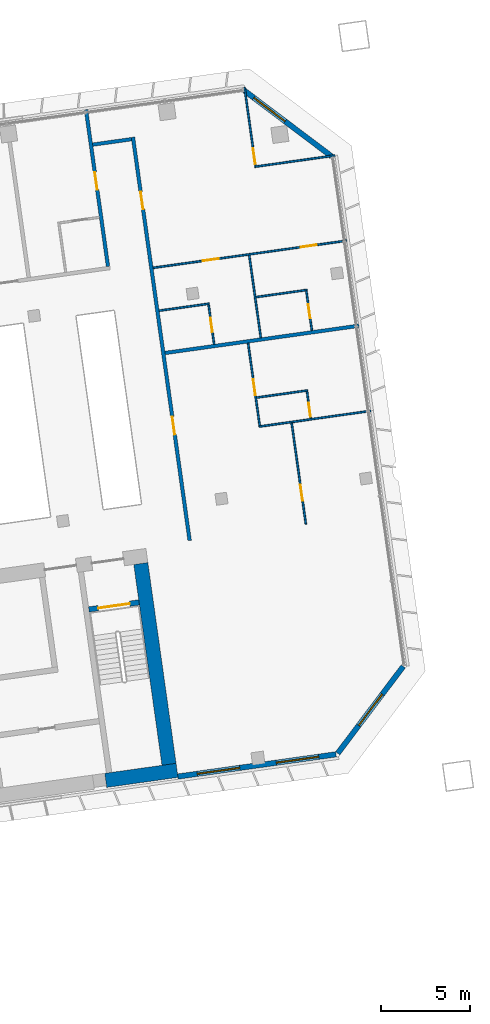
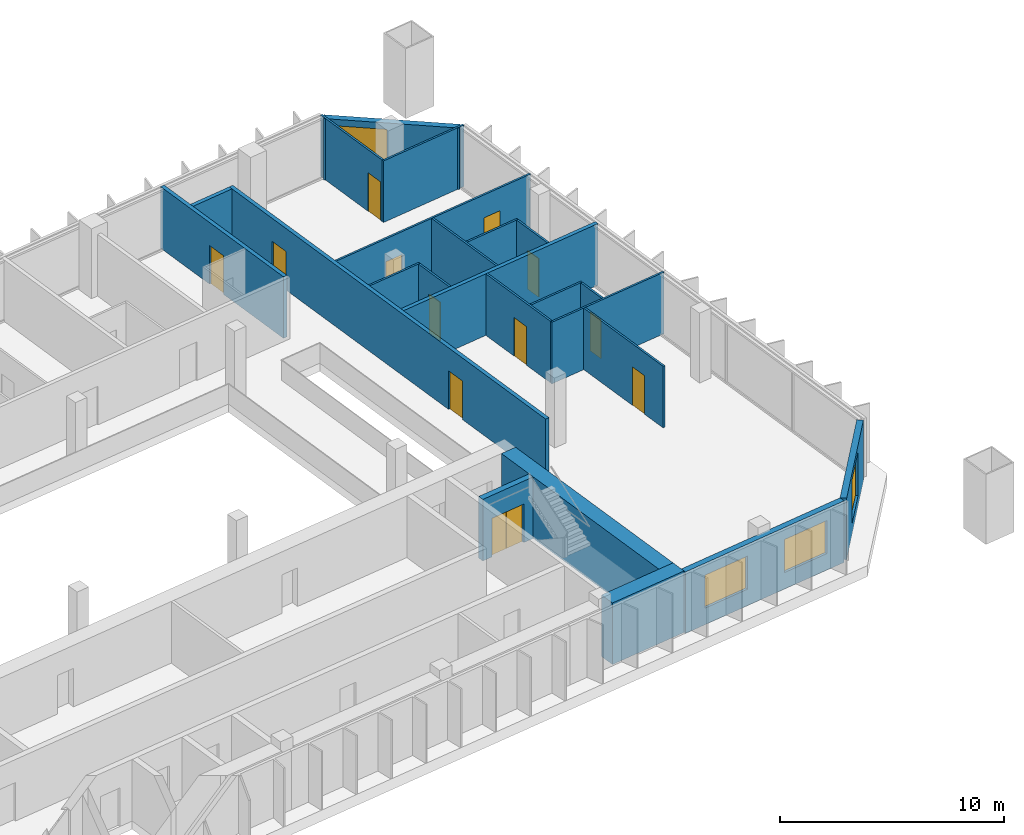
# One storey, part 22 of 26: 23 walls, 12 doors, 4 windows, 16 openings.
"""IFC4 building model written with IfcOpenShell, lengths in metres."""

from ifc_helpers import new_model, si_unit, direction, frame, frame_2d, origin, place, context, subcontext, project, spatial, rectangle, extrude, material, layer, layer_set, type_object, element, fill, save


model = new_model("IFC4")

# Units and contexts
model_context = context("Model", 3, precision=1e-05, world=origin(), true_north=direction((0.0, 1.0)))
body_context = subcontext(model_context, "Body", "Model", "MODEL_VIEW")
ifc_project = project(units=[si_unit("LENGTHUNIT", "METRE"), si_unit("AREAUNIT", "SQUARE_METRE"), si_unit("VOLUMEUNIT", "CUBIC_METRE"), si_unit("PLANEANGLEUNIT", "RADIAN"), si_unit("MASSUNIT", "GRAM", prefix="KILO")], contexts=[model_context])

# Site, building, storey
site_placement = place(None, origin())
site = spatial("IfcSite", under=ifc_project, at=site_placement, CompositionType="ELEMENT")
building_placement = place(site_placement, origin())
building = spatial("IfcBuilding", under=site, at=building_placement, Name="Mirante Cascada Hotel Towers", CompositionType="ELEMENT")
storey_placement = place(building_placement, frame((0.0, 0.0, 140.5)))
storey = spatial("IfcBuildingStorey", under=building, at=storey_placement, Name="L32", CompositionType="ELEMENT", Elevation=140.5)

# Walls
ifc_material_1 = material(Name="Fire-rated plasterboard on metal studs")
ifc_layer_1 = layer(ifc_material_1, 0.2)
ifc_layer_set_1 = layer_set([ifc_layer_1], Name="Compartment wall 200 EI 120")
wall_type_1 = type_object("IfcWallType", Name="Compartment wall 200 EI 120", PredefinedType="PARTITIONING", material=ifc_layer_set_1)
wall_1_placement = place(storey_placement, frame((100.6266, 12.8067, 0.0), z_axis=(0.0, 0.0, 1.0), x_axis=(-0.990268, -0.1391733, 0.0)))
element("IfcWall", 1, at=wall_1_placement, inside=storey, type_object=wall_type_1, Name="Wall 2-L32-12", PredefinedType="PARTITIONING", context=body_context, shape_type="SweptSolid", body=[
    extrude(rectangle(XDim=11.0, YDim=0.2, at=frame_2d((5.5, 0.0))), origin(), (0.0, 0.0, 1.0), 3.35),
])
wall_2_placement = place(storey_placement, frame((85.6638, 22.9901, 0.0), z_axis=(0.0, 0.0, 1.0), x_axis=(0.990267, 0.139181, 0.0)))
element("IfcWall", 2, at=wall_2_placement, inside=storey, type_object=wall_type_1, Name="Wall 2-L32-27", PredefinedType="PARTITIONING", context=body_context, shape_type="SweptSolid", body=[
    extrude(rectangle(XDim=2.2, YDim=0.2, at=frame_2d((1.1, 0.0))), origin(), (0.0, 0.0, 1.0), 3.35),
])

# Wall, opening, door
wall_3_placement = place(storey_placement, frame((85.2864, 24.9567, 0.0), z_axis=(0.0, 0.0, 1.0), x_axis=(0.1391684, -0.9902687, 0.0)))
wall_3 = element("IfcWall", 3, at=wall_3_placement, inside=storey, type_object=wall_type_1, Name="Wall 2-L32-56", PredefinedType="PARTITIONING", context=body_context, shape_type="SweptSolid", body=[
    extrude(rectangle(XDim=8.9, YDim=0.2, at=frame_2d((4.45, 0.0))), origin(), (0.0, 0.0, 1.0), 3.35),
])
opening_1_placement = place(wall_3_placement, frame((3.55, 0.0, 0.0)))
opening_1 = element("IfcOpeningElement", 4, at=opening_1_placement, cuts=wall_3, Name="Opening D2-L32-32", PredefinedType="OPENING", context=body_context, shape_type="SweptSolid", body=[
    extrude(rectangle(XDim=1.0, YDim=2.1, at=frame_2d((0.5, 1.05))), frame((0.0, 0.1, 0.0), z_axis=(0.0, -1.0, 0.0), x_axis=(1.0, 0.0, 0.0)), (0.0, 0.0, 1.0), 0.2),
])
ifc_material_2 = material(Name="Fire-rated timber door leaf", Category="wood")
door_type_1 = type_object("IfcDoorType", Name="Entrance door DG1 1000x2100 EI 60", OperationType="SINGLE_SWING_LEFT", PredefinedType="DOOR", material=ifc_material_2)
door_1_placement = place(opening_1_placement, frame((1.0, 0.0, 0.0), z_axis=(0.0, 0.0, 1.0), x_axis=(-1.0, 0.0, 0.0)))
door_1 = element("IfcDoor", 5, at=door_1_placement, inside=storey, type_object=door_type_1, Name="Door D2-L32-32", OperationType="SINGLE_SWING_RIGHT", OverallHeight=2.1, OverallWidth=1.0, PredefinedType="DOOR", context=body_context, shape_type="SweptSolid", body=[
    extrude(rectangle(XDim=1.0, YDim=2.1, at=frame_2d((0.5, 1.05))), frame((0.0, 0.025, 0.0), z_axis=(0.0, -1.0, 0.0), x_axis=(1.0, 0.0, 0.0)), (0.0, 0.0, 1.0), 0.05),
])
fill(opening_1, door_1)

# Wall, openings, doors
wall_4_placement = place(storey_placement, frame((91.1145, 0.7321, 0.0), z_axis=(0.0, 0.0, 1.0), x_axis=(-0.1391706, 0.9902684, 0.0)))
wall_4 = element("IfcWall", 6, at=wall_4_placement, inside=storey, type_object=wall_type_1, Name="Wall 2-L32-57", PredefinedType="PARTITIONING", context=body_context, shape_type="SweptSolid", body=[
    extrude(rectangle(XDim=22.9, YDim=0.2, at=frame_2d((11.45, 0.0))), origin(), (0.0, 0.0, 1.0), 3.35),
])
opening_2_placement = place(wall_4_placement, frame((6.0167, 0.0, 0.0)))
opening_2 = element("IfcOpeningElement", 7, at=opening_2_placement, cuts=wall_4, Name="Opening D2-L32-33", PredefinedType="OPENING", context=body_context, shape_type="SweptSolid", body=[
    extrude(rectangle(XDim=1.0, YDim=2.1, at=frame_2d((0.5, 1.05))), frame((0.0, 0.1, 0.0), z_axis=(0.0, -1.0, 0.0), x_axis=(1.0, 0.0, 0.0)), (0.0, 0.0, 1.0), 0.2),
])
opening_3_placement = place(wall_4_placement, frame((18.8, 0.0, 0.0)))
opening_3 = element("IfcOpeningElement", 8, at=opening_3_placement, cuts=wall_4, Name="Opening D2-L32-34", PredefinedType="OPENING", context=body_context, shape_type="SweptSolid", body=[
    extrude(rectangle(XDim=1.0, YDim=2.1, at=frame_2d((0.5, 1.05))), frame((0.0, 0.1, 0.0), z_axis=(0.0, -1.0, 0.0), x_axis=(1.0, 0.0, 0.0)), (0.0, 0.0, 1.0), 0.2),
])
door_2_placement = place(opening_2_placement, frame((1.0, 0.0, 0.0), z_axis=(0.0, 0.0, 1.0), x_axis=(-1.0, 0.0, 0.0)))
door_2 = element("IfcDoor", 9, at=door_2_placement, inside=storey, type_object=door_type_1, Name="Door D2-L32-33", OperationType="SINGLE_SWING_RIGHT", OverallHeight=2.1, OverallWidth=1.0, PredefinedType="DOOR", context=body_context, shape_type="SweptSolid", body=[
    extrude(rectangle(XDim=1.0, YDim=2.1, at=frame_2d((0.5, 1.05))), frame((0.0, 0.025, 0.0), z_axis=(0.0, -1.0, 0.0), x_axis=(1.0, 0.0, 0.0)), (0.0, 0.0, 1.0), 0.05),
])
fill(opening_2, door_2)
door_3_placement = place(opening_3_placement, frame((1.0, 0.0, 0.0), z_axis=(0.0, 0.0, 1.0), x_axis=(-1.0, 0.0, 0.0)))
door_3 = element("IfcDoor", 10, at=door_3_placement, inside=storey, type_object=door_type_1, Name="Door D2-L32-34", OperationType="SINGLE_SWING_RIGHT", OverallHeight=2.1, OverallWidth=1.0, PredefinedType="DOOR", context=body_context, shape_type="SweptSolid", body=[
    extrude(rectangle(XDim=1.0, YDim=2.1, at=frame_2d((0.5, 1.05))), frame((0.0, 0.025, 0.0), z_axis=(0.0, -1.0, 0.0), x_axis=(1.0, 0.0, 0.0)), (0.0, 0.0, 1.0), 0.05),
])
fill(opening_3, door_3)

# Walls
ifc_material_3 = material(Name="Plasterboard on metal studs")
ifc_layer_2 = layer(ifc_material_3, 0.1)
ifc_layer_set_2 = layer_set([ifc_layer_2], Name="Partition 100")
wall_type_2 = type_object("IfcWallType", Name="Partition 100", PredefinedType="PARTITIONING", material=ifc_layer_set_2)
wall_5_placement = place(storey_placement, frame((95.0111, 7.1367, 0.0), z_axis=(0.0, 0.0, 1.0), x_axis=(0.990267, 0.139181, 0.0)))
element("IfcWall", 11, at=wall_5_placement, inside=storey, type_object=wall_type_2, Name="Wall 2-L32-07", PredefinedType="PARTITIONING", context=body_context, shape_type="SweptSolid", body=[
    extrude(rectangle(XDim=6.35, YDim=0.1, at=frame_2d((3.175, 0.0))), origin(), (0.0, 0.0, 1.0), 3.35),
])
wall_6_placement = place(storey_placement, frame((97.7546, 9.1716, 0.0), z_axis=(0.0, 0.0, 1.0), x_axis=(-0.9902683, -0.1391714, 0.0)))
element("IfcWall", 12, at=wall_6_placement, inside=storey, type_object=wall_type_2, Name="Wall 2-L32-08", PredefinedType="PARTITIONING", context=body_context, shape_type="SweptSolid", body=[
    extrude(rectangle(XDim=2.9, YDim=0.1, at=frame_2d((1.45, 0.0))), origin(), (0.0, 0.0, 1.0), 3.35),
])
wall_7_placement = place(storey_placement, frame((89.3997, 13.6525, 0.0), z_axis=(0.0, 0.0, 1.0), x_axis=(0.9902697, 0.1391613, 0.0)))
element("IfcWall", 13, at=wall_7_placement, inside=storey, type_object=wall_type_2, Name="Wall 2-L32-13", PredefinedType="PARTITIONING", context=body_context, shape_type="SweptSolid", body=[
    extrude(rectangle(XDim=2.8499, YDim=0.1, at=frame_2d((1.425, 0.0))), origin(), (0.0, 0.0, 1.0), 3.35),
])
wall_8_placement = place(storey_placement, frame((97.7179, 14.8215, 0.0), z_axis=(0.0, 0.0, 1.0), x_axis=(-0.9902683, -0.1391714, 0.0)))
element("IfcWall", 14, at=wall_8_placement, inside=storey, type_object=wall_type_2, Name="Wall 2-L32-14", PredefinedType="PARTITIONING", context=body_context, shape_type="SweptSolid", body=[
    extrude(rectangle(XDim=2.9, YDim=0.1, at=frame_2d((1.45, 0.0))), origin(), (0.0, 0.0, 1.0), 3.35),
])

# Wall, openings, doors
wall_9_placement = place(storey_placement, frame((89.061, 16.0622, 0.0), z_axis=(0.0, 0.0, 1.0), x_axis=(0.9902682, 0.1391721, 0.0)))
wall_9 = element("IfcWall", 15, at=wall_9_placement, inside=storey, type_object=wall_type_2, Name="Wall 2-L32-15", PredefinedType="PARTITIONING", context=body_context, shape_type="SweptSolid", body=[
    extrude(rectangle(XDim=11.0001, YDim=0.1, at=frame_2d((5.5, 0.0))), origin(), (0.0, 0.0, 1.0), 3.35),
])
opening_4_placement = place(wall_9_placement, frame((2.825, 0.0, 0.0)))
opening_4 = element("IfcOpeningElement", 16, at=opening_4_placement, cuts=wall_9, Name="Opening D2-L32-04", PredefinedType="OPENING", context=body_context, shape_type="SweptSolid", body=[
    extrude(rectangle(XDim=0.9, YDim=2.1, at=frame_2d((0.45, 1.05))), frame((0.0, 0.05, 0.0), z_axis=(0.0, -1.0, 0.0), x_axis=(1.0, 0.0, 0.0)), (0.0, 0.0, 1.0), 0.1),
])
opening_5_placement = place(wall_9_placement, frame((8.375, 0.0, 0.0)))
opening_5 = element("IfcOpeningElement", 17, at=opening_5_placement, cuts=wall_9, Name="Opening D2-L32-05", PredefinedType="OPENING", context=body_context, shape_type="SweptSolid", body=[
    extrude(rectangle(XDim=0.9, YDim=2.1, at=frame_2d((0.45, 1.05))), frame((0.0, 0.05, 0.0), z_axis=(0.0, -1.0, 0.0), x_axis=(1.0, 0.0, 0.0)), (0.0, 0.0, 1.0), 0.1),
])
ifc_material_4 = material(Name="Timber door leaf", Category="wood")
door_type_2 = type_object("IfcDoorType", Name="Room door DG3 900x2100", OperationType="SINGLE_SWING_LEFT", PredefinedType="DOOR", material=ifc_material_4)
door_4_placement = place(opening_4_placement, origin())
door_4 = element("IfcDoor", 18, at=door_4_placement, inside=storey, type_object=door_type_2, Name="Door D2-L32-04", OperationType="SINGLE_SWING_LEFT", OverallHeight=2.1, OverallWidth=0.9, PredefinedType="DOOR", context=body_context, shape_type="SweptSolid", body=[
    extrude(rectangle(XDim=0.9, YDim=2.1, at=frame_2d((0.45, 1.05))), frame((0.0, 0.025, 0.0), z_axis=(0.0, -1.0, 0.0), x_axis=(1.0, 0.0, 0.0)), (0.0, 0.0, 1.0), 0.05),
])
fill(opening_4, door_4)
door_5_placement = place(opening_5_placement, origin())
door_5 = element("IfcDoor", 19, at=door_5_placement, inside=storey, type_object=door_type_2, Name="Door D2-L32-05", OperationType="SINGLE_SWING_LEFT", OverallHeight=2.1, OverallWidth=0.9, PredefinedType="DOOR", context=body_context, shape_type="SweptSolid", body=[
    extrude(rectangle(XDim=0.9, YDim=2.1, at=frame_2d((0.45, 1.05))), frame((0.0, 0.025, 0.0), z_axis=(0.0, -1.0, 0.0), x_axis=(1.0, 0.0, 0.0)), (0.0, 0.0, 1.0), 0.05),
])
fill(opening_5, door_5)

# Wall
wall_10_placement = place(storey_placement, frame((94.7756, 21.7461, 0.0), z_axis=(0.0, 0.0, 1.0), x_axis=(0.9902661, 0.1391871, 0.0)))
element("IfcWall", 20, at=wall_10_placement, inside=storey, type_object=wall_type_2, Name="Wall 2-L32-25", PredefinedType="PARTITIONING", context=body_context, shape_type="SweptSolid", body=[
    extrude(rectangle(XDim=4.55, YDim=0.1, at=frame_2d((2.275, 0.0))), origin(), (0.0, 0.0, 1.0), 3.35),
])

# Wall, opening, door
wall_11_placement = place(storey_placement, frame((92.1794, 13.9926, 0.0), z_axis=(0.0, 0.0, 1.0), x_axis=(0.1391561, -0.9902705, 0.0)))
wall_11 = element("IfcWall", 21, at=wall_11_placement, inside=storey, type_object=wall_type_2, Name="Wall 2-L32-58", PredefinedType="PARTITIONING", context=body_context, shape_type="SweptSolid", body=[
    extrude(rectangle(XDim=2.25, YDim=0.1, at=frame_2d((1.125, 0.0))), origin(), (0.0, 0.0, 1.0), 3.35),
])
opening_6_placement = place(wall_11_placement, frame((0.75, 0.0, 0.0)))
opening_6 = element("IfcOpeningElement", 22, at=opening_6_placement, cuts=wall_11, Name="Opening D2-L32-35", PredefinedType="OPENING", context=body_context, shape_type="SweptSolid", body=[
    extrude(rectangle(XDim=0.8, YDim=2.1, at=frame_2d((0.4, 1.05))), frame((0.0, 0.05, 0.0), z_axis=(0.0, -1.0, 0.0), x_axis=(1.0, 0.0, 0.0)), (0.0, 0.0, 1.0), 0.1),
])
ifc_material_5 = material(Name="Timber door leaf", Category="wood")
door_type_3 = type_object("IfcDoorType", Name="Bathroom door DG4 800x2100", OperationType="SINGLE_SWING_LEFT", PredefinedType="DOOR", material=ifc_material_5)
door_6_placement = place(opening_6_placement, frame((0.8, 0.0, 0.0), z_axis=(0.0, 0.0, 1.0), x_axis=(-1.0, 0.0, 0.0)))
door_6 = element("IfcDoor", 23, at=door_6_placement, inside=storey, type_object=door_type_3, Name="Door D2-L32-35", OperationType="SINGLE_SWING_RIGHT", OverallHeight=2.1, OverallWidth=0.8, PredefinedType="DOOR", context=body_context, shape_type="SweptSolid", body=[
    extrude(rectangle(XDim=0.8, YDim=2.1, at=frame_2d((0.4, 1.05))), frame((0.0, 0.025, 0.0), z_axis=(0.0, -1.0, 0.0), x_axis=(1.0, 0.0, 0.0)), (0.0, 0.0, 1.0), 0.05),
])
fill(opening_6, door_6)

wall_12_placement = place(storey_placement, frame((95.0537, 7.1932, 0.0), z_axis=(0.0, 0.0, 1.0), x_axis=(-0.139176, 0.9902677, 0.0)))
wall_12 = element("IfcWall", 24, at=wall_12_placement, inside=storey, type_object=wall_type_2, Name="Wall 2-L32-59", PredefinedType="PARTITIONING", context=body_context, shape_type="SweptSolid", body=[
    extrude(rectangle(XDim=4.6833, YDim=0.1, at=frame_2d((2.3416, 0.0))), origin(), (0.0, 0.0, 1.0), 3.35),
])
opening_7_placement = place(wall_12_placement, frame((1.7333, 0.0, 0.0)))
opening_7 = element("IfcOpeningElement", 25, at=opening_7_placement, cuts=wall_12, Name="Opening D2-L32-36", PredefinedType="OPENING", context=body_context, shape_type="SweptSolid", body=[
    extrude(rectangle(XDim=0.9, YDim=2.1, at=frame_2d((0.45, 1.05))), frame((0.0, 0.05, 0.0), z_axis=(0.0, -1.0, 0.0), x_axis=(1.0, 0.0, 0.0)), (0.0, 0.0, 1.0), 0.1),
])
door_7_placement = place(opening_7_placement, origin())
door_7 = element("IfcDoor", 26, at=door_7_placement, inside=storey, type_object=door_type_2, Name="Door D2-L32-36", OperationType="SINGLE_SWING_LEFT", OverallHeight=2.1, OverallWidth=0.9, PredefinedType="DOOR", context=body_context, shape_type="SweptSolid", body=[
    extrude(rectangle(XDim=0.9, YDim=2.1, at=frame_2d((0.45, 1.05))), frame((0.0, 0.025, 0.0), z_axis=(0.0, -1.0, 0.0), x_axis=(1.0, 0.0, 0.0)), (0.0, 0.0, 1.0), 0.05),
])
fill(opening_7, door_7)

# Wall
wall_13_placement = place(storey_placement, frame((94.4649, 16.7712, 0.0), z_axis=(0.0, 0.0, 1.0), x_axis=(0.1391701, -0.9902685, 0.0)))
element("IfcWall", 27, at=wall_13_placement, inside=storey, type_object=wall_type_2, Name="Wall 2-L32-60", PredefinedType="PARTITIONING", context=body_context, shape_type="SweptSolid", body=[
    extrude(rectangle(XDim=4.6835, YDim=0.1, at=frame_2d((2.3418, 0.0))), origin(), (0.0, 0.0, 1.0), 3.35),
])

# Wall, opening, door
wall_14_placement = place(storey_placement, frame((97.6503, 1.6506, 0.0), z_axis=(0.0, 0.0, 1.0), x_axis=(-0.139164, 0.9902694, 0.0)))
wall_14 = element("IfcWall", 28, at=wall_14_placement, inside=storey, type_object=wall_type_2, Name="Wall 2-L32-61", PredefinedType="PARTITIONING", context=body_context, shape_type="SweptSolid", body=[
    extrude(rectangle(XDim=5.7501, YDim=0.1, at=frame_2d((2.875, 0.0))), origin(), (0.0, 0.0, 1.0), 3.35),
])
opening_8_placement = place(wall_14_placement, frame((1.3333, 0.0, 0.0)))
opening_8 = element("IfcOpeningElement", 29, at=opening_8_placement, cuts=wall_14, Name="Opening D2-L32-37", PredefinedType="OPENING", context=body_context, shape_type="SweptSolid", body=[
    extrude(rectangle(XDim=0.9, YDim=2.1, at=frame_2d((0.45, 1.05))), frame((0.0, 0.05, 0.0), z_axis=(0.0, -1.0, 0.0), x_axis=(1.0, 0.0, 0.0)), (0.0, 0.0, 1.0), 0.1),
])
door_8_placement = place(opening_8_placement, origin())
door_8 = element("IfcDoor", 30, at=door_8_placement, inside=storey, type_object=door_type_2, Name="Door D2-L32-37", OperationType="SINGLE_SWING_LEFT", OverallHeight=2.1, OverallWidth=0.9, PredefinedType="DOOR", context=body_context, shape_type="SweptSolid", body=[
    extrude(rectangle(XDim=0.9, YDim=2.1, at=frame_2d((0.45, 1.05))), frame((0.0, 0.025, 0.0), z_axis=(0.0, -1.0, 0.0), x_axis=(1.0, 0.0, 0.0)), (0.0, 0.0, 1.0), 0.05),
])
fill(opening_8, door_8)

wall_15_placement = place(storey_placement, frame((94.1988, 26.2093, 0.0), z_axis=(0.0, 0.0, 1.0), x_axis=(0.1391684, -0.9902687, 0.0)))
wall_15 = element("IfcWall", 31, at=wall_15_placement, inside=storey, type_object=wall_type_2, Name="Wall 2-L32-62", PredefinedType="PARTITIONING", context=body_context, shape_type="SweptSolid", body=[
    extrude(rectangle(XDim=4.45, YDim=0.1, at=frame_2d((2.225, 0.0))), origin(), (0.0, 0.0, 1.0), 3.35),
])
opening_9_placement = place(wall_15_placement, frame((3.45, 0.0, 0.0)))
opening_9 = element("IfcOpeningElement", 32, at=opening_9_placement, cuts=wall_15, Name="Opening D2-L32-38", PredefinedType="OPENING", context=body_context, shape_type="SweptSolid", body=[
    extrude(rectangle(XDim=0.9, YDim=2.1, at=frame_2d((0.45, 1.05))), frame((0.0, 0.05, 0.0), z_axis=(0.0, -1.0, 0.0), x_axis=(1.0, 0.0, 0.0)), (0.0, 0.0, 1.0), 0.1),
])
door_9_placement = place(opening_9_placement, frame((0.9, 0.0, 0.0), z_axis=(0.0, 0.0, 1.0), x_axis=(-1.0, 0.0, 0.0)))
door_9 = element("IfcDoor", 33, at=door_9_placement, inside=storey, type_object=door_type_2, Name="Door D2-L32-38", OperationType="SINGLE_SWING_RIGHT", OverallHeight=2.1, OverallWidth=0.9, PredefinedType="DOOR", context=body_context, shape_type="SweptSolid", body=[
    extrude(rectangle(XDim=0.9, YDim=2.1, at=frame_2d((0.45, 1.05))), frame((0.0, 0.025, 0.0), z_axis=(0.0, -1.0, 0.0), x_axis=(1.0, 0.0, 0.0)), (0.0, 0.0, 1.0), 0.05),
])
fill(opening_9, door_9)

wall_16_placement = place(storey_placement, frame((97.9254, 7.5968, 0.0), z_axis=(0.0, 0.0, 1.0), x_axis=(-0.1391749, 0.9902678, 0.0)))
wall_16 = element("IfcWall", 34, at=wall_16_placement, inside=storey, type_object=wall_type_2, Name="Wall 2-L32-63", PredefinedType="PARTITIONING", context=body_context, shape_type="SweptSolid", body=[
    extrude(rectangle(XDim=1.5333, YDim=0.1, at=frame_2d((0.7667, 0.0))), origin(), (0.0, 0.0, 1.0), 3.35),
])
opening_10_placement = place(wall_16_placement, frame((0.1, 0.0, 0.0)))
opening_10 = element("IfcOpeningElement", 35, at=opening_10_placement, cuts=wall_16, Name="Opening D2-L32-39", PredefinedType="OPENING", context=body_context, shape_type="SweptSolid", body=[
    extrude(rectangle(XDim=0.8, YDim=2.1, at=frame_2d((0.4, 1.05))), frame((0.0, 0.05, 0.0), z_axis=(0.0, -1.0, 0.0), x_axis=(1.0, 0.0, 0.0)), (0.0, 0.0, 1.0), 0.1),
])
door_10_placement = place(opening_10_placement, frame((0.8, 0.0, 0.0), z_axis=(0.0, 0.0, 1.0), x_axis=(-1.0, 0.0, 0.0)))
door_10 = element("IfcDoor", 36, at=door_10_placement, inside=storey, type_object=door_type_3, Name="Door D2-L32-39", OperationType="SINGLE_SWING_RIGHT", OverallHeight=2.1, OverallWidth=0.8, PredefinedType="DOOR", context=body_context, shape_type="SweptSolid", body=[
    extrude(rectangle(XDim=0.8, YDim=2.1, at=frame_2d((0.4, 1.05))), frame((0.0, 0.025, 0.0), z_axis=(0.0, -1.0, 0.0), x_axis=(1.0, 0.0, 0.0)), (0.0, 0.0, 1.0), 0.05),
])
fill(opening_10, door_10)

wall_17_placement = place(storey_placement, frame((97.6754, 14.765, 0.0), z_axis=(0.0, 0.0, 1.0), x_axis=(0.1391561, -0.9902705, 0.0)))
wall_17 = element("IfcWall", 37, at=wall_17_placement, inside=storey, type_object=wall_type_2, Name="Wall 2-L32-64", PredefinedType="PARTITIONING", context=body_context, shape_type="SweptSolid", body=[
    extrude(rectangle(XDim=2.25, YDim=0.1, at=frame_2d((1.125, 0.0))), origin(), (0.0, 0.0, 1.0), 3.35),
])
opening_11_placement = place(wall_17_placement, frame((0.75, 0.0, 0.0)))
opening_11 = element("IfcOpeningElement", 38, at=opening_11_placement, cuts=wall_17, Name="Opening D2-L32-40", PredefinedType="OPENING", context=body_context, shape_type="SweptSolid", body=[
    extrude(rectangle(XDim=0.8, YDim=2.1, at=frame_2d((0.4, 1.05))), frame((0.0, 0.05, 0.0), z_axis=(0.0, -1.0, 0.0), x_axis=(1.0, 0.0, 0.0)), (0.0, 0.0, 1.0), 0.1),
])
door_11_placement = place(opening_11_placement, frame((0.8, 0.0, 0.0), z_axis=(0.0, 0.0, 1.0), x_axis=(-1.0, 0.0, 0.0)))
door_11 = element("IfcDoor", 39, at=door_11_placement, inside=storey, type_object=door_type_3, Name="Door D2-L32-40", OperationType="SINGLE_SWING_RIGHT", OverallHeight=2.1, OverallWidth=0.8, PredefinedType="DOOR", context=body_context, shape_type="SweptSolid", body=[
    extrude(rectangle(XDim=0.8, YDim=2.1, at=frame_2d((0.4, 1.05))), frame((0.0, 0.025, 0.0), z_axis=(0.0, -1.0, 0.0), x_axis=(1.0, 0.0, 0.0)), (0.0, 0.0, 1.0), 0.05),
])
fill(opening_11, door_11)

# Wall, openings, windows
ifc_material_6 = material(Name="Precast concrete C40/50", Category="concrete")
ifc_layer_3 = layer(ifc_material_6, 0.3)
ifc_layer_set_3 = layer_set([ifc_layer_3], Name="Precast concrete C40/50 cladding wall 300")
wall_type_3 = type_object("IfcWallType", Name="Precast concrete C40/50 cladding wall 300", PredefinedType="STANDARD", material=ifc_layer_set_3)
wall_18_placement = place(storey_placement, frame((90.4551, -12.5388, 0.0), z_axis=(0.0, 0.0, 1.0), x_axis=(0.9902678, 0.1391749, 0.0)))
wall_18 = element("IfcWall", 40, at=wall_18_placement, inside=storey, type_object=wall_type_3, Name="Rear cladding wall T2 L32 1", PredefinedType="STANDARD", context=body_context, shape_type="SweptSolid", body=[
    extrude(rectangle(XDim=8.9758, YDim=0.3, at=frame_2d((4.4879, 0.0))), origin(), (0.0, 0.0, 1.0), 3.35),
])
opening_12_placement = place(wall_18_placement, frame((1.1012, 0.0, 0.9)))
opening_12 = element("IfcOpeningElement", 41, at=opening_12_placement, cuts=wall_18, Name="Opening W2-32-01", PredefinedType="OPENING", context=body_context, shape_type="SweptSolid", body=[
    extrude(rectangle(XDim=2.4, YDim=1.8, at=frame_2d((1.2, 0.9))), frame((0.0, 0.15, 0.0), z_axis=(0.0, -1.0, 0.0), x_axis=(1.0, 0.0, 0.0)), (0.0, 0.0, 1.0), 0.3),
])
opening_13_placement = place(wall_18_placement, frame((5.5923, 0.0, 0.9)))
opening_13 = element("IfcOpeningElement", 42, at=opening_13_placement, cuts=wall_18, Name="Opening W2-32-02", PredefinedType="OPENING", context=body_context, shape_type="SweptSolid", body=[
    extrude(rectangle(XDim=2.4, YDim=1.8, at=frame_2d((1.2, 0.9))), frame((0.0, 0.15, 0.0), z_axis=(0.0, -1.0, 0.0), x_axis=(1.0, 0.0, 0.0)), (0.0, 0.0, 1.0), 0.3),
])
ifc_material_7 = material(Name="Aluminium frame with clear double glazing", Category="aluminium")
window_type_1 = type_object("IfcWindowType", Name="Punched window 2400x1800", PartitioningType="DOUBLE_PANEL_VERTICAL", PredefinedType="WINDOW", material=ifc_material_7)
window_1_placement = place(opening_12_placement, origin())
window_1 = element("IfcWindow", 43, at=window_1_placement, inside=storey, type_object=window_type_1, Name="Window W2-32-01", OverallHeight=1.8, OverallWidth=2.4, PartitioningType="SINGLE_PANEL", PredefinedType="WINDOW", context=body_context, shape_type="SweptSolid", body=[
    extrude(rectangle(XDim=2.4, YDim=1.8, at=frame_2d((1.2, 0.9))), frame((0.0, 0.03, 0.0), z_axis=(0.0, -1.0, 0.0), x_axis=(1.0, 0.0, 0.0)), (0.0, 0.0, 1.0), 0.06),
])
fill(opening_12, window_1)
window_2_placement = place(opening_13_placement, origin())
window_2 = element("IfcWindow", 44, at=window_2_placement, inside=storey, type_object=window_type_1, Name="Window W2-32-02", OverallHeight=1.8, OverallWidth=2.4, PartitioningType="SINGLE_PANEL", PredefinedType="WINDOW", context=body_context, shape_type="SweptSolid", body=[
    extrude(rectangle(XDim=2.4, YDim=1.8, at=frame_2d((1.2, 0.9))), frame((0.0, 0.03, 0.0), z_axis=(0.0, -1.0, 0.0), x_axis=(1.0, 0.0, 0.0)), (0.0, 0.0, 1.0), 0.06),
])
fill(opening_13, window_2)

# Wall, opening, window
wall_19_placement = place(storey_placement, frame((99.4424, -11.2313, 0.0), z_axis=(0.0, 0.0, 1.0), x_axis=(0.6018194, 0.7986322, 0.0)))
wall_19 = element("IfcWall", 45, at=wall_19_placement, inside=storey, type_object=wall_type_3, Name="Corner cladding wall T2 L32 rear outer", PredefinedType="STANDARD", context=body_context, shape_type="SweptSolid", body=[
    extrude(rectangle(XDim=6.1155, YDim=0.3, at=frame_2d((3.0578, 0.0))), origin(), (0.0, 0.0, 1.0), 3.35),
])
opening_14_placement = place(wall_19_placement, frame((1.9576, 0.0, 0.6)))
opening_14 = element("IfcOpeningElement", 46, at=opening_14_placement, cuts=wall_19, Name="Opening W2-32-03", PredefinedType="OPENING", context=body_context, shape_type="SweptSolid", body=[
    extrude(rectangle(XDim=2.2, YDim=2.4, at=frame_2d((1.1, 1.2))), frame((0.0, 0.15, 0.0), z_axis=(0.0, -1.0, 0.0), x_axis=(1.0, 0.0, 0.0)), (0.0, 0.0, 1.0), 0.3),
])
ifc_material_8 = material(Name="Aluminium frame with clear double glazing", Category="aluminium")
window_type_2 = type_object("IfcWindowType", Name="Corner suite window 2200x2400", PartitioningType="DOUBLE_PANEL_VERTICAL", PredefinedType="WINDOW", material=ifc_material_8)
window_3_placement = place(opening_14_placement, origin())
window_3 = element("IfcWindow", 47, at=window_3_placement, inside=storey, type_object=window_type_2, Name="Window W2-32-03", OverallHeight=2.4, OverallWidth=2.2, PartitioningType="SINGLE_PANEL", PredefinedType="WINDOW", context=body_context, shape_type="SweptSolid", body=[
    extrude(rectangle(XDim=2.2, YDim=2.4, at=frame_2d((1.1, 1.2))), frame((0.0, 0.03, 0.0), z_axis=(0.0, -1.0, 0.0), x_axis=(1.0, 0.0, 0.0)), (0.0, 0.0, 1.0), 0.06),
])
fill(opening_14, window_3)

wall_20_placement = place(storey_placement, frame((99.0919, 22.3343, 0.0), z_axis=(0.0, 0.0, 1.0), x_axis=(-0.7986362, 0.6018141, 0.0)))
wall_20 = element("IfcWall", 48, at=wall_20_placement, inside=storey, type_object=wall_type_3, Name="Corner cladding wall T2 L32 outer front", PredefinedType="STANDARD", context=body_context, shape_type="SweptSolid", body=[
    extrude(rectangle(XDim=6.1157, YDim=0.3, at=frame_2d((3.0578, 0.0))), origin(), (0.0, 0.0, 1.0), 3.35),
])
opening_15_placement = place(wall_20_placement, frame((3.2692, 0.0, 0.6)))
opening_15 = element("IfcOpeningElement", 49, at=opening_15_placement, cuts=wall_20, Name="Opening W2-32-04", PredefinedType="OPENING", context=body_context, shape_type="SweptSolid", body=[
    extrude(rectangle(XDim=2.2, YDim=2.4, at=frame_2d((1.1, 1.2))), frame((0.0, 0.15, 0.0), z_axis=(0.0, -1.0, 0.0), x_axis=(1.0, 0.0, 0.0)), (0.0, 0.0, 1.0), 0.3),
])
window_4_placement = place(opening_15_placement, origin())
window_4 = element("IfcWindow", 50, at=window_4_placement, inside=storey, type_object=window_type_2, Name="Window W2-32-04", OverallHeight=2.4, OverallWidth=2.2, PartitioningType="SINGLE_PANEL", PredefinedType="WINDOW", context=body_context, shape_type="SweptSolid", body=[
    extrude(rectangle(XDim=2.2, YDim=2.4, at=frame_2d((1.1, 1.2))), frame((0.0, 0.03, 0.0), z_axis=(0.0, -1.0, 0.0), x_axis=(1.0, 0.0, 0.0)), (0.0, 0.0, 1.0), 0.06),
])
fill(opening_15, window_4)

# Wall, opening, door
ifc_material_9 = material(Name="Concrete C50/60", Category="concrete")
ifc_layer_4 = layer(ifc_material_9, 0.3)
ifc_layer_set_4 = layer_set([ifc_layer_4], Name="RC core wall 300 C50/60")
wall_type_4 = type_object("IfcWallType", Name="RC core wall 300 C50/60", PredefinedType="SHEAR", material=ifc_layer_set_4)
wall_21_placement = place(storey_placement, frame((85.4489, -3.1441, 0.0), z_axis=(0.0, 0.0, 1.0), x_axis=(0.9902697, 0.1391613, 0.0)))
wall_21 = element("IfcWall", 51, at=wall_21_placement, inside=storey, type_object=wall_type_4, Name="Core wall T2:L32:11", PredefinedType="SHEAR", context=body_context, shape_type="SweptSolid", body=[
    extrude(rectangle(XDim=2.8499, YDim=0.3, at=frame_2d((1.425, 0.0))), origin(), (0.0, 0.0, 1.0), 3.35),
])
opening_16_placement = place(wall_21_placement, frame((0.525, 0.0, 0.0)))
opening_16 = element("IfcOpeningElement", 52, at=opening_16_placement, cuts=wall_21, Name="Opening D2-32-C17", PredefinedType="OPENING", context=body_context, shape_type="SweptSolid", body=[
    extrude(rectangle(XDim=1.8, YDim=2.1, at=frame_2d((0.9, 1.05))), frame((0.0, 0.15, 0.0), z_axis=(0.0, -1.0, 0.0), x_axis=(1.0, 0.0, 0.0)), (0.0, 0.0, 1.0), 0.3),
])
ifc_material_10 = material(Name="Hollow metal fire door leaf")
door_type_4 = type_object("IfcDoorType", Name="Double fire door 1800x2100 FD60", OperationType="DOUBLE_DOOR_SINGLE_SWING", PredefinedType="DOOR", material=ifc_material_10)
door_12_placement = place(opening_16_placement, frame((1.8, 0.0, 0.0), z_axis=(0.0, 0.0, 1.0), x_axis=(-1.0, 0.0, 0.0)))
door_12 = element("IfcDoor", 53, at=door_12_placement, inside=storey, type_object=door_type_4, Name="Stair door T2 L32 17", OperationType="DOUBLE_DOOR_SINGLE_SWING", OverallHeight=2.1, OverallWidth=1.8, PredefinedType="DOOR", context=body_context, shape_type="SweptSolid", body=[
    extrude(rectangle(XDim=0.895, YDim=2.1, at=frame_2d((0.4475, 1.05))), frame((0.0, 0.025, 0.0), z_axis=(0.0, -1.0, 0.0), x_axis=(1.0, 0.0, 0.0)), (0.0, 0.0, 1.0), 0.05),
    extrude(rectangle(XDim=0.895, YDim=2.1, at=frame_2d((1.3525, 1.05))), frame((0.0, 0.025, 0.0), z_axis=(0.0, -1.0, 0.0), x_axis=(1.0, 0.0, 0.0)), (0.0, 0.0, 1.0), 0.05),
])
fill(opening_16, door_12)

# Walls
ifc_material_11 = material(Name="Concrete C50/60", Category="concrete")
ifc_layer_5 = layer(ifc_material_11, 0.8)
ifc_layer_set_5 = layer_set([ifc_layer_5], Name="RC core wall 800 C50/60")
wall_type_5 = type_object("IfcWallType", Name="RC core wall 800 C50/60", PredefinedType="SHEAR", material=ifc_layer_set_5)
wall_22_placement = place(storey_placement, frame((86.3958, -12.7559, 0.0), z_axis=(0.0, 0.0, 1.0), x_axis=(0.9902665, 0.1391845, 0.0)))
element("IfcWall", 54, at=wall_22_placement, inside=storey, type_object=wall_type_5, Name="Core wall T2:L32:1.7", PredefinedType="SHEAR", context=body_context, shape_type="SweptSolid", body=[
    extrude(rectangle(XDim=4.05, YDim=0.8, at=frame_2d((2.025, 0.0))), origin(), (0.0, 0.0, 1.0), 3.35),
])
wall_23_placement = place(storey_placement, frame((89.9546, -11.8518, 0.0), z_axis=(0.0, 0.0, 1.0), x_axis=(-0.1391761, 0.9902677, 0.0)))
element("IfcWall", 55, at=wall_23_placement, inside=storey, type_object=wall_type_5, Name="Core wall T2:L32:4", PredefinedType="SHEAR", context=body_context, shape_type="SweptSolid", body=[
    extrude(rectangle(XDim=11.3999, YDim=0.8, at=frame_2d((5.7, 0.0))), origin(), (0.0, 0.0, 1.0), 3.35),
])

save(model, "model.ifc")
